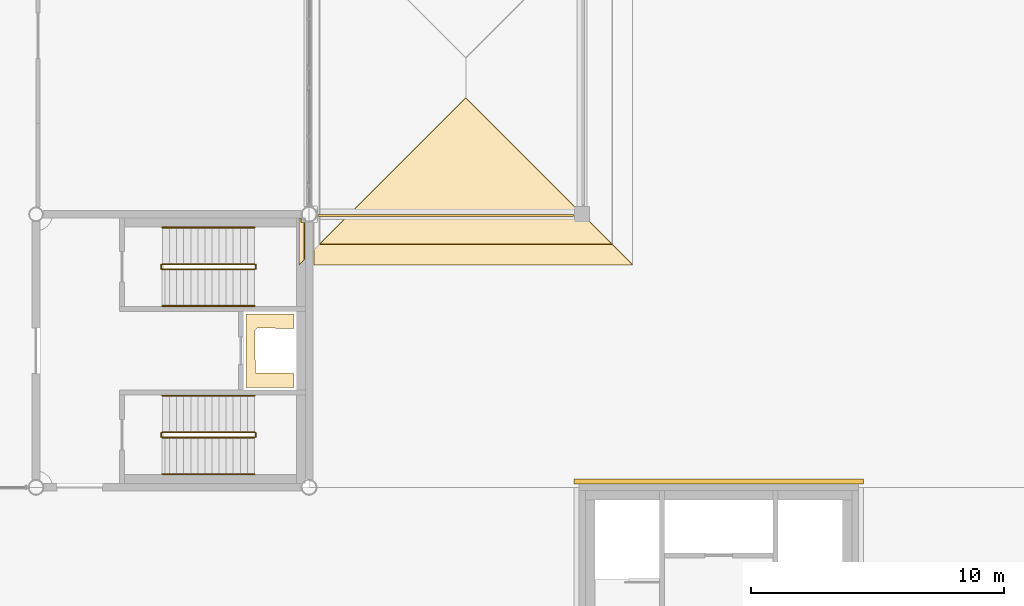
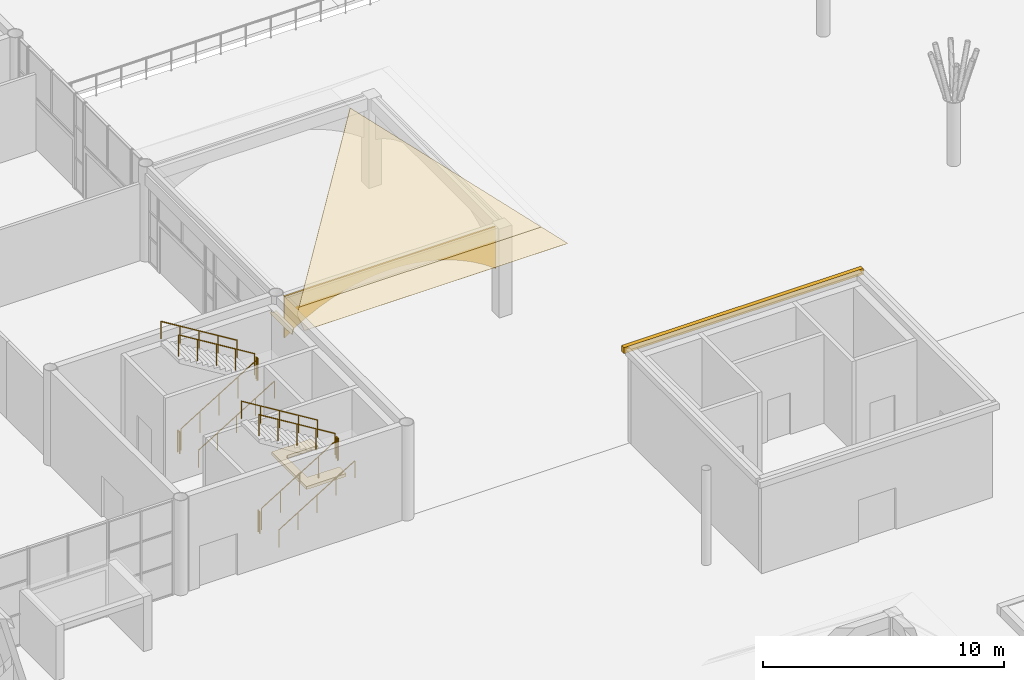
# One storey, part 82 of 91: 12 railings, 6 coverings.
"""IFC4 building model written with IfcOpenShell, lengths in metres."""

from ifc_helpers import new_model, si_unit, direction, frame, origin, origin_2d, place, context, subcontext, project, spatial, polyline, rectangle, circle, outline, extrude, material, layer, layer_set, type_object, element, save


model = new_model("IFC4")

# Units and contexts
model_context = context("Model", 3, precision=1e-05, world=origin(), true_north=direction((0.0, 1.0)))
body_context = subcontext(model_context, "Body", "Model", "MODEL_VIEW")
ifc_project = project(units=[si_unit("LENGTHUNIT", "METRE"), si_unit("AREAUNIT", "SQUARE_METRE"), si_unit("VOLUMEUNIT", "CUBIC_METRE"), si_unit("PLANEANGLEUNIT", "RADIAN"), si_unit("MASSUNIT", "GRAM", prefix="KILO")], contexts=[model_context])

# Site, building, storey
site_placement = place(None, origin())
site = spatial("IfcSite", under=ifc_project, at=site_placement, CompositionType="ELEMENT")
building_placement = place(site_placement, origin())
building = spatial("IfcBuilding", under=site, at=building_placement, Name="Magnolia Steps Interchange", CompositionType="ELEMENT")
storey_placement = place(building_placement, origin())
storey = spatial("IfcBuildingStorey", under=building, at=storey_placement, Name="L00", CompositionType="ELEMENT", Elevation=0.0)

# Coverings
ifc_material_1 = material(Name="Clay pantile")
ifc_layer_1 = layer(ifc_material_1, 0.0400390625)
ifc_layer_set_1 = layer_set([ifc_layer_1], Name="Clay pantile roofing")
covering_type_1 = type_object("IfcCoveringType", Name="Clay pantile roofing", PredefinedType="ROOFING", material=ifc_layer_set_1)
covering_1_placement = place(storey_placement, frame((118.39990234375, 52.0, 4.628662109375), z_axis=(0.0, -0.615661421178, 0.788010795912), x_axis=(1.0, 0.0, 0.0)))
element("IfcCovering", 1, at=covering_1_placement, inside=storey, type_object=covering_type_1, Name="Clay pantile roof PT-E2 3", PredefinedType="ROOFING", context=body_context, shape_type="SweptSolid", body=[
    extrude(outline(polyline([(0.0, 0.0), (11.600097656, 0.0), (5.800048828, 7.360367216), (0.0, 0.0)])), origin(), (0.0, 0.0, -1.0), 0.0400390625),
])
covering_2_placement = place(storey_placement, frame((117.67529296875, 52.89111328125, 4.0625), z_axis=(-0.616547422204, 1.7638988e-05, 0.787317773115), x_axis=(0.639721535863, -0.582904212287, 0.500978079212)))
element("IfcCovering", 2, at=covering_2_placement, inside=storey, type_object=covering_type_1, Name="Clay pantile eave Portico roof slab PT-E2 2 1", PredefinedType="ROOFING", context=body_context, shape_type="SweptSolid", body=[
    extrude(outline(polyline([(0.0, 0.0), (0.027643096, 0.0), (0.143083427, 0.0828151), (0.999935542, -1.111596187), (0.908082654, -1.42988117), (-0.158677594, 0.057132117), (-0.081375531, 0.112587419), (0.0, 0.0)])), origin(), (0.0, 0.0, -1.0), 0.0400390625),
])
covering_3_placement = place(storey_placement, frame((130.800048828125, 51.199951171875, 4.00341796875), z_axis=(3.682486e-06, -0.615770599554, 0.787925484238), x_axis=(-0.999999999993, -2.267566e-06, 2.901524e-06)))
element("IfcCovering", 3, at=covering_3_placement, inside=storey, type_object=covering_type_1, Name="Clay pantile eave Portico roof slab PT-E2 3 1", PredefinedType="ROOFING", context=body_context, shape_type="SweptSolid", body=[
    extrude(outline(polyline([(0.0, 0.0), (12.604980469, 0.0), (12.604980469, -0.755180029), (12.400146484, -1.01538582), (0.800048828, -1.01538582), (0.0, 0.0)])), origin(), (0.0, 0.0, -1.0), 0.0400390625),
])
ifc_material_2 = material(Name="Lime render")
ifc_layer_2 = layer(ifc_material_2, 0.080078125)
ifc_layer_set_2 = layer_set([ifc_layer_2], Name="Lime render arch infill")
covering_type_2 = type_object("IfcCoveringType", Name="Lime render arch infill", PredefinedType="CLADDING", material=ifc_layer_set_2)
covering_4_placement = place(storey_placement, frame((118.35009765625, 53.199951171875, 2.39990234375), z_axis=(0.0, 1.0, 0.0), x_axis=(0.0, 0.0, 1.0)))
element("IfcCovering", 4, at=covering_4_placement, inside=storey, type_object=covering_type_2, Name="Portico arch PT-E2 S", PredefinedType="CLADDING", context=body_context, shape_type="SweptSolid", body=[
    extrude(outline(polyline([(0.0, 0.0), (2.100097656, 0.0), (2.100097656, 10.099853516), (0.0, 10.099853516), (0.391113281, 9.538818359), (0.71875, 8.977783203), (0.991455078, 8.416503906), (1.214599609, 7.85546875), (1.392822266, 7.294189453), (1.528808594, 6.733154297), (1.624511719, 6.172119141), (1.681152344, 5.611083984), (1.700195312, 5.049804688), (1.681152344, 4.488769531), (1.624511719, 3.927734375), (1.528808594, 3.366699219), (1.392822266, 2.805419922), (1.214599609, 2.244384766), (0.991455078, 1.683105469), (0.71875, 1.122070312), (0.391113281, 0.561035156), (0.0, 0.0)])), origin(), (0.0, 0.0, -1.0), 0.080078125),
])
ifc_material_3 = material(Name="Lime render")
ifc_layer_3 = layer(ifc_material_3, 0.199951171875)
ifc_layer_set_3 = layer_set([ifc_layer_3], Name="Lime render cornice")
covering_type_3 = type_object("IfcCoveringType", Name="Lime render cornice", PredefinedType="CLADDING", material=ifc_layer_set_3)
covering_5_placement = place(storey_placement, frame((134.199951171875, 42.625, 4.5), z_axis=(0.0, 0.0, 1.0), x_axis=(1.0, 0.0, 0.0)))
element("IfcCovering", 5, at=covering_5_placement, inside=storey, type_object=covering_type_3, Name="Cornice BC3 N", PredefinedType="CLADDING", context=body_context, shape_type="SweptSolid", body=[
    extrude(rectangle(XDim=11.449951171875, YDim=0.199951171875, at=origin_2d()), origin(), (0.0, 0.0, 1.0), 0.300048828125),
])

# Railings
ifc_material_4 = material(Name="Stainless steel grade 304", Category="steel")
railing_type_1 = type_object("IfcRailingType", Name="Stair guard 1100", PredefinedType="GUARDRAIL", material=ifc_material_4)
railing_1_placement = place(storey_placement, frame((112.199951171875, 51.02587890625, 0.17138671875)))
element("IfcRailing", 6, at=railing_1_placement, inside=storey, type_object=railing_type_1, Name="L00 ST7 stair guard 1", PredefinedType="GUARDRAIL", context=body_context, shape_type="SweptSolid", body=[
    extrude(circle(Radius=0.02392578125, at=origin_2d()), frame((0.0, 0.0, 1.076171875), z_axis=(0.852865859571, 0.0, 0.52213008492), x_axis=(0.0, 1.0, 0.0)), (0.0, 0.0, 1.0), 4.26806640625),
    extrude(circle(Radius=0.02099609375, at=origin_2d()), origin(), (0.0, 0.0, 1.0), 1.052001953125),
    extrude(circle(Radius=0.02099609375, at=origin_2d()), frame((0.91015625, 0.0, 0.55712890625)), (0.0, 0.0, 1.0), 1.052001953125),
    extrude(circle(Radius=0.02099609375, at=origin_2d()), frame((1.820068359375, 0.0, 1.1142578125)), (0.0, 0.0, 1.0), 1.052001953125),
    extrude(circle(Radius=0.02099609375, at=origin_2d()), frame((2.72998046875, 0.0, 1.67138671875)), (0.0, 0.0, 1.0), 1.052001953125),
    extrude(circle(Radius=0.02099609375, at=origin_2d()), frame((3.64013671875, 0.0, 2.228515625)), (0.0, 0.0, 1.0), 1.052001953125),
])
railing_2_placement = place(storey_placement, frame((115.889892578125, 51.050048828125, 2.39990234375)))
element("IfcRailing", 7, at=railing_2_placement, inside=storey, type_object=railing_type_1, Name="L00 ST7 stair guard 2", PredefinedType="GUARDRAIL", context=body_context, shape_type="SweptSolid", body=[
    extrude(circle(Radius=0.02392578125, at=origin_2d()), frame((0.0, 0.0, 1.076171875), z_axis=(0.0, 1.0, 0.0), x_axis=(-1.0, 0.0, 0.0)), (0.0, 0.0, 1.0), 0.14990234375),
    extrude(circle(Radius=0.02099609375, at=origin_2d()), origin(), (0.0, 0.0, 1.0), 1.052001953125),
    extrude(circle(Radius=0.02099609375, at=origin_2d()), frame((0.0, 0.14990234375, 0.0)), (0.0, 0.0, 1.0), 1.052001953125),
])
railing_3_placement = place(storey_placement, frame((115.840087890625, 51.22412109375, 2.571533203125)))
element("IfcRailing", 8, at=railing_3_placement, inside=storey, type_object=railing_type_1, Name="L00 ST7 stair guard 3", PredefinedType="GUARDRAIL", context=body_context, shape_type="SweptSolid", body=[
    extrude(circle(Radius=0.02392578125, at=origin_2d()), frame((0.0, 0.0, 1.076171875), z_axis=(-0.852865859571, 0.0, 0.52213008492), x_axis=(0.0, -1.0, 0.0)), (0.0, 0.0, 1.0), 4.26806640625),
    extrude(circle(Radius=0.02099609375, at=origin_2d()), origin(), (0.0, 0.0, 1.0), 1.052001953125),
    extrude(circle(Radius=0.02099609375, at=origin_2d()), frame((-0.91015625, 0.0, 0.55712890625)), (0.0, 0.0, 1.0), 1.052001953125),
    extrude(circle(Radius=0.02099609375, at=origin_2d()), frame((-1.820068359375, 0.0, 1.1142578125)), (0.0, 0.0, 1.0), 1.052001953125),
    extrude(circle(Radius=0.02099609375, at=origin_2d()), frame((-2.72998046875, 0.0, 1.67138671875)), (0.0, 0.0, 1.0), 1.052001953125),
    extrude(circle(Radius=0.02099609375, at=origin_2d()), frame((-3.64013671875, 0.0, 2.228515625)), (0.0, 0.0, 1.0), 1.052001953125),
])
railing_4_placement = place(storey_placement, frame((112.14990234375, 51.050048828125, 0.0)))
element("IfcRailing", 9, at=railing_4_placement, inside=storey, type_object=railing_type_1, Name="L00 ST7 stair guard 4", PredefinedType="GUARDRAIL", context=body_context, shape_type="SweptSolid", body=[
    extrude(circle(Radius=0.02392578125, at=origin_2d()), frame((0.0, 0.0, 1.076171875), z_axis=(0.0, 1.0, 0.0), x_axis=(-1.0, 0.0, 0.0)), (0.0, 0.0, 1.0), 0.14990234375),
    extrude(circle(Radius=0.02099609375, at=origin_2d()), origin(), (0.0, 0.0, 1.0), 1.052001953125),
    extrude(circle(Radius=0.02099609375, at=origin_2d()), frame((0.0, 0.14990234375, 0.0)), (0.0, 0.0, 1.0), 1.052001953125),
])
railing_5_placement = place(storey_placement, frame((112.199951171875, 44.3759765625, 0.17138671875)))
element("IfcRailing", 10, at=railing_5_placement, inside=storey, type_object=railing_type_1, Name="L00 ST8 stair guard 1", PredefinedType="GUARDRAIL", context=body_context, shape_type="SweptSolid", body=[
    extrude(circle(Radius=0.02392578125, at=origin_2d()), frame((0.0, 0.0, 1.076171875), z_axis=(0.852865859571, 0.0, 0.52213008492), x_axis=(0.0, 1.0, 0.0)), (0.0, 0.0, 1.0), 4.26806640625),
    extrude(circle(Radius=0.02099609375, at=origin_2d()), origin(), (0.0, 0.0, 1.0), 1.052001953125),
    extrude(circle(Radius=0.02099609375, at=origin_2d()), frame((0.91015625, 0.0, 0.55712890625)), (0.0, 0.0, 1.0), 1.052001953125),
    extrude(circle(Radius=0.02099609375, at=origin_2d()), frame((1.820068359375, 0.0, 1.1142578125)), (0.0, 0.0, 1.0), 1.052001953125),
    extrude(circle(Radius=0.02099609375, at=origin_2d()), frame((2.72998046875, 0.0, 1.67138671875)), (0.0, 0.0, 1.0), 1.052001953125),
    extrude(circle(Radius=0.02099609375, at=origin_2d()), frame((3.64013671875, 0.0, 2.228515625)), (0.0, 0.0, 1.0), 1.052001953125),
])
railing_6_placement = place(storey_placement, frame((115.889892578125, 44.39990234375, 2.39990234375)))
element("IfcRailing", 11, at=railing_6_placement, inside=storey, type_object=railing_type_1, Name="L00 ST8 stair guard 2", PredefinedType="GUARDRAIL", context=body_context, shape_type="SweptSolid", body=[
    extrude(circle(Radius=0.02392578125, at=origin_2d()), frame((0.0, 0.0, 1.076171875), z_axis=(0.0, 1.0, 0.0), x_axis=(-1.0, 0.0, 0.0)), (0.0, 0.0, 1.0), 0.150146484375),
    extrude(circle(Radius=0.02099609375, at=origin_2d()), origin(), (0.0, 0.0, 1.0), 1.052001953125),
    extrude(circle(Radius=0.02099609375, at=origin_2d()), frame((0.0, 0.150146484375, 0.0)), (0.0, 0.0, 1.0), 1.052001953125),
])
railing_7_placement = place(storey_placement, frame((115.840087890625, 44.573974609375, 2.571533203125)))
element("IfcRailing", 12, at=railing_7_placement, inside=storey, type_object=railing_type_1, Name="L00 ST8 stair guard 3", PredefinedType="GUARDRAIL", context=body_context, shape_type="SweptSolid", body=[
    extrude(circle(Radius=0.02392578125, at=origin_2d()), frame((0.0, 0.0, 1.076171875), z_axis=(-0.852865859571, 0.0, 0.52213008492), x_axis=(0.0, -1.0, 0.0)), (0.0, 0.0, 1.0), 4.26806640625),
    extrude(circle(Radius=0.02099609375, at=origin_2d()), origin(), (0.0, 0.0, 1.0), 1.052001953125),
    extrude(circle(Radius=0.02099609375, at=origin_2d()), frame((-0.91015625, 0.0, 0.55712890625)), (0.0, 0.0, 1.0), 1.052001953125),
    extrude(circle(Radius=0.02099609375, at=origin_2d()), frame((-1.820068359375, 0.0, 1.1142578125)), (0.0, 0.0, 1.0), 1.052001953125),
    extrude(circle(Radius=0.02099609375, at=origin_2d()), frame((-2.72998046875, 0.0, 1.67138671875)), (0.0, 0.0, 1.0), 1.052001953125),
    extrude(circle(Radius=0.02099609375, at=origin_2d()), frame((-3.64013671875, 0.0, 2.228515625)), (0.0, 0.0, 1.0), 1.052001953125),
])
railing_8_placement = place(storey_placement, frame((112.14990234375, 44.39990234375, 0.0)))
element("IfcRailing", 13, at=railing_8_placement, inside=storey, type_object=railing_type_1, Name="L00 ST8 stair guard 4", PredefinedType="GUARDRAIL", context=body_context, shape_type="SweptSolid", body=[
    extrude(circle(Radius=0.02392578125, at=origin_2d()), frame((0.0, 0.0, 1.076171875), z_axis=(0.0, 1.0, 0.0), x_axis=(-1.0, 0.0, 0.0)), (0.0, 0.0, 1.0), 0.150146484375),
    extrude(circle(Radius=0.02099609375, at=origin_2d()), origin(), (0.0, 0.0, 1.0), 1.052001953125),
    extrude(circle(Radius=0.02099609375, at=origin_2d()), frame((0.0, 0.150146484375, 0.0)), (0.0, 0.0, 1.0), 1.052001953125),
])
ifc_material_5 = material(Name="Stainless steel grade 304", Category="steel")
railing_type_2 = type_object("IfcRailingType", Name="Stair handrail 900", PredefinedType="HANDRAIL", material=ifc_material_5)
railing_9_placement = place(storey_placement, frame((112.199951171875, 49.573974609375, 0.17138671875)))
element("IfcRailing", 14, at=railing_9_placement, inside=storey, type_object=railing_type_2, Name="L00 ST7 stair handrail 1", PredefinedType="HANDRAIL", context=body_context, shape_type="SweptSolid", body=[
    extrude(circle(Radius=0.02392578125, at=origin_2d()), frame((0.0, 0.0, 0.8759765625), z_axis=(0.852865859571, 0.0, 0.52213008492), x_axis=(0.0, 1.0, 0.0)), (0.0, 0.0, 1.0), 4.26806640625),
    extrude(circle(Radius=0.02099609375, at=origin_2d()), origin(), (0.0, 0.0, 1.0), 0.851806640625),
    extrude(circle(Radius=0.02099609375, at=origin_2d()), frame((0.91015625, 0.0, 0.55712890625)), (0.0, 0.0, 1.0), 0.851806640625),
    extrude(circle(Radius=0.02099609375, at=origin_2d()), frame((1.820068359375, 0.0, 1.1142578125)), (0.0, 0.0, 1.0), 0.851806640625),
    extrude(circle(Radius=0.02099609375, at=origin_2d()), frame((2.72998046875, 0.0, 1.67138671875)), (0.0, 0.0, 1.0), 0.851806640625),
    extrude(circle(Radius=0.02099609375, at=origin_2d()), frame((3.64013671875, 0.0, 2.228515625)), (0.0, 0.0, 1.0), 0.851806640625),
])
railing_10_placement = place(storey_placement, frame((115.840087890625, 52.676025390625, 2.571533203125)))
element("IfcRailing", 15, at=railing_10_placement, inside=storey, type_object=railing_type_2, Name="L00 ST7 stair handrail 2", PredefinedType="HANDRAIL", context=body_context, shape_type="SweptSolid", body=[
    extrude(circle(Radius=0.02392578125, at=origin_2d()), frame((0.0, 0.0, 0.8759765625), z_axis=(-0.852865859571, 0.0, 0.52213008492), x_axis=(0.0, -1.0, 0.0)), (0.0, 0.0, 1.0), 4.26806640625),
    extrude(circle(Radius=0.02099609375, at=origin_2d()), origin(), (0.0, 0.0, 1.0), 0.851806640625),
    extrude(circle(Radius=0.02099609375, at=origin_2d()), frame((-0.91015625, 0.0, 0.55712890625)), (0.0, 0.0, 1.0), 0.851806640625),
    extrude(circle(Radius=0.02099609375, at=origin_2d()), frame((-1.820068359375, 0.0, 1.1142578125)), (0.0, 0.0, 1.0), 0.851806640625),
    extrude(circle(Radius=0.02099609375, at=origin_2d()), frame((-2.72998046875, 0.0, 1.67138671875)), (0.0, 0.0, 1.0), 0.851806640625),
    extrude(circle(Radius=0.02099609375, at=origin_2d()), frame((-3.64013671875, 0.0, 2.228515625)), (0.0, 0.0, 1.0), 0.851806640625),
])
railing_11_placement = place(storey_placement, frame((112.199951171875, 42.924072265625, 0.17138671875)))
element("IfcRailing", 16, at=railing_11_placement, inside=storey, type_object=railing_type_2, Name="L00 ST8 stair handrail 1", PredefinedType="HANDRAIL", context=body_context, shape_type="SweptSolid", body=[
    extrude(circle(Radius=0.02392578125, at=origin_2d()), frame((0.0, 0.0, 0.8759765625), z_axis=(0.852865859571, 0.0, 0.52213008492), x_axis=(0.0, 1.0, 0.0)), (0.0, 0.0, 1.0), 4.26806640625),
    extrude(circle(Radius=0.02099609375, at=origin_2d()), origin(), (0.0, 0.0, 1.0), 0.851806640625),
    extrude(circle(Radius=0.02099609375, at=origin_2d()), frame((0.91015625, 0.0, 0.55712890625)), (0.0, 0.0, 1.0), 0.851806640625),
    extrude(circle(Radius=0.02099609375, at=origin_2d()), frame((1.820068359375, 0.0, 1.1142578125)), (0.0, 0.0, 1.0), 0.851806640625),
    extrude(circle(Radius=0.02099609375, at=origin_2d()), frame((2.72998046875, 0.0, 1.67138671875)), (0.0, 0.0, 1.0), 0.851806640625),
    extrude(circle(Radius=0.02099609375, at=origin_2d()), frame((3.64013671875, 0.0, 2.228515625)), (0.0, 0.0, 1.0), 0.851806640625),
])
railing_12_placement = place(storey_placement, frame((115.840087890625, 46.02587890625, 2.571533203125)))
element("IfcRailing", 17, at=railing_12_placement, inside=storey, type_object=railing_type_2, Name="L00 ST8 stair handrail 2", PredefinedType="HANDRAIL", context=body_context, shape_type="SweptSolid", body=[
    extrude(circle(Radius=0.02392578125, at=origin_2d()), frame((0.0, 0.0, 0.8759765625), z_axis=(-0.852865859571, 0.0, 0.52213008492), x_axis=(0.0, -1.0, 0.0)), (0.0, 0.0, 1.0), 4.26806640625),
    extrude(circle(Radius=0.02099609375, at=origin_2d()), origin(), (0.0, 0.0, 1.0), 0.851806640625),
    extrude(circle(Radius=0.02099609375, at=origin_2d()), frame((-0.91015625, 0.0, 0.55712890625)), (0.0, 0.0, 1.0), 0.851806640625),
    extrude(circle(Radius=0.02099609375, at=origin_2d()), frame((-1.820068359375, 0.0, 1.1142578125)), (0.0, 0.0, 1.0), 0.851806640625),
    extrude(circle(Radius=0.02099609375, at=origin_2d()), frame((-2.72998046875, 0.0, 1.67138671875)), (0.0, 0.0, 1.0), 0.851806640625),
    extrude(circle(Radius=0.02099609375, at=origin_2d()), frame((-3.64013671875, 0.0, 2.228515625)), (0.0, 0.0, 1.0), 0.851806640625),
])

# Covering
ifc_material_6 = material(Name="Natural stone paving", Category="masonry")
ifc_layer_4 = layer(ifc_material_6, 0.14990234375)
ifc_layer_set_4 = layer_set([ifc_layer_4], Name="Stone paving 150")
covering_type_4 = type_object("IfcCoveringType", Name="Stone paving 150", PredefinedType="FLOORING", material=ifc_layer_set_4)
covering_6_placement = place(storey_placement, frame((0.0, 0.0, -0.14990234375)))
element("IfcCovering", 18, at=covering_6_placement, inside=storey, type_object=covering_type_4, Name="Court paving centre 2", PredefinedType="FLOORING", context=body_context, shape_type="SweptSolid", body=[
    extrude(outline(polyline([(115.5, 46.35009765625), (115.5, 49.25), (117.39990234375, 49.25), (117.39990234375, 48.6865234375), (115.940185546875, 48.699462890625), (115.85009765625, 48.60009765625), (115.87939453125, 46.92919921875), (117.397216796875, 46.911865234375), (117.39990234375, 46.35009765625), (115.5, 46.35009765625)])), origin(), (0.0, 0.0, 1.0), 0.14990234375),
])

save(model, "model.ifc")
